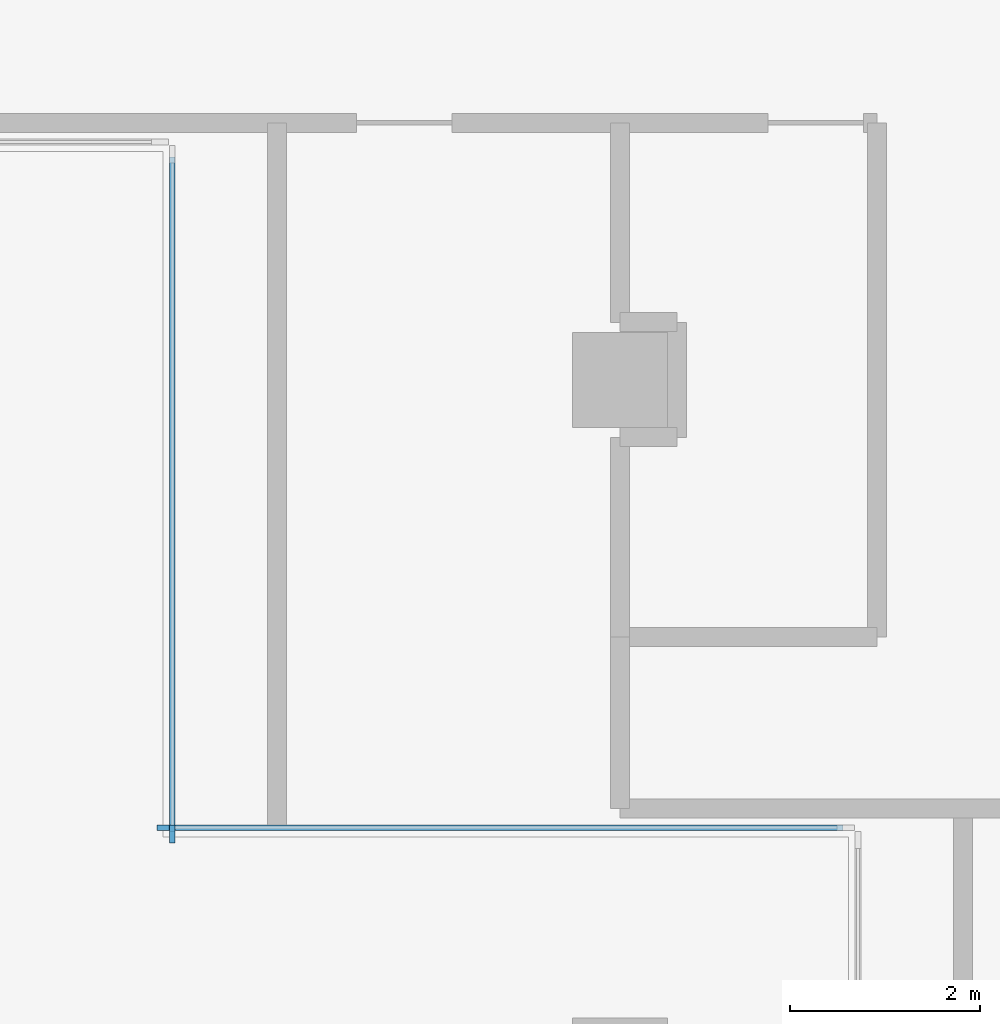
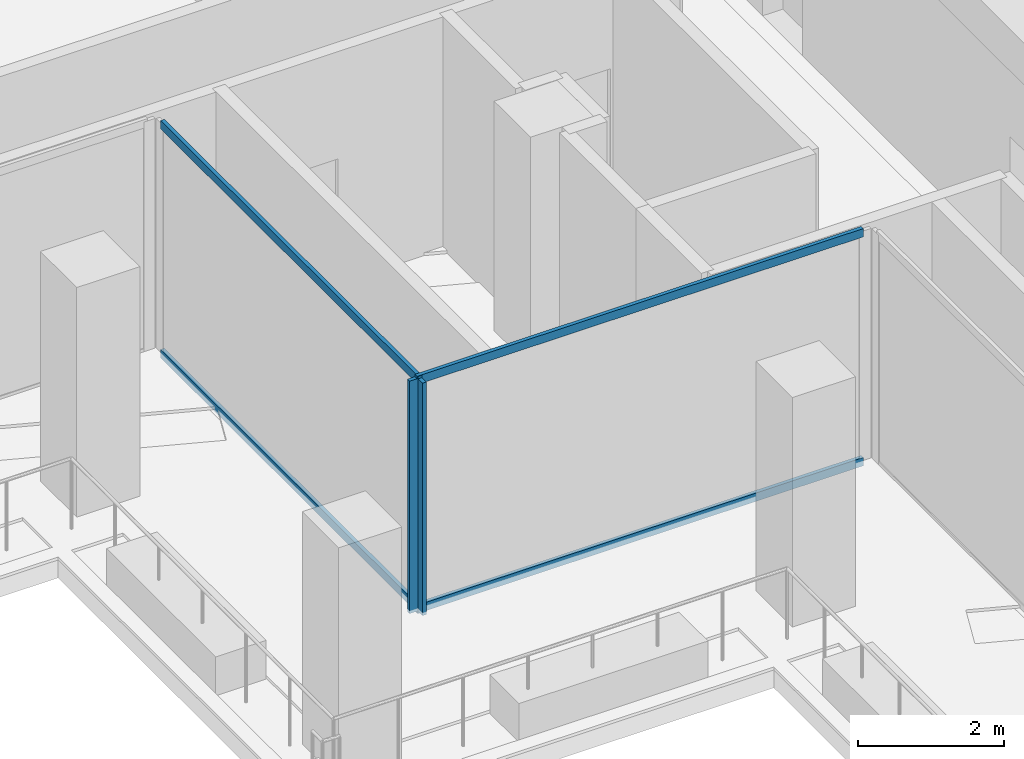
# One storey, part 2 of 21: 6 members, 2 elements without a shape of their own.
"""IFC4 building model written with IfcOpenShell, lengths in metres."""

from ifc_helpers import new_model, si_unit, direction, frame, origin, origin_2d, place, context, subcontext, project, spatial, rectangle, extrude, material, material_profile, profile_set, type_object, element, aggregate, save


model = new_model("IFC4")

# Units and contexts
model_context = context("Model", 3, precision=1e-05, world=origin(), true_north=direction((0.0, 1.0)))
body_context = subcontext(model_context, "Body", "Model", "MODEL_VIEW")
ifc_project = project(units=[si_unit("LENGTHUNIT", "METRE"), si_unit("AREAUNIT", "SQUARE_METRE"), si_unit("VOLUMEUNIT", "CUBIC_METRE"), si_unit("PLANEANGLEUNIT", "RADIAN"), si_unit("MASSUNIT", "GRAM", prefix="KILO")], contexts=[model_context])

# Site, building, storey
site_placement = place(None, origin())
site = spatial("IfcSite", under=ifc_project, at=site_placement, CompositionType="ELEMENT")
building_placement = place(site_placement, origin())
building = spatial("IfcBuilding", under=site, at=building_placement, Name="Windrow Commons", CompositionType="ELEMENT")
storey_placement = place(building_placement, frame((0.0, 0.0, 131.2)))
storey = spatial("IfcBuildingStorey", under=building, at=storey_placement, Name="L35", CompositionType="ELEMENT", Elevation=131.2)

# Curtain wall, member
ifc_material_1 = material(Name="Clear laminated glass in Aluminium 6063-T6 anodised frame", Category="aluminium")
curtain_wall_type = type_object("IfcCurtainWallType", Name="Curtain wall CW2M sky lounge mid", PredefinedType="USERDEFINED", material=ifc_material_1)
placement = place(storey_placement, origin())
curtain_wall_1 = element("IfcCurtainWall", 1, at=placement, inside=storey, type_object=curtain_wall_type, Name="Curtain wall CW2M L35 9", ObjectType="UNITISED", PredefinedType="USERDEFINED")
ifc_material_2 = material(Name="Aluminium 6063-T6", Category="aluminium")
ifc_material_profile_1 = material_profile(ifc_material_2, rectangle(XDim=0.06, YDim=0.18, at=origin_2d()))
ifc_profile_set_1 = profile_set([ifc_material_profile_1], Name="Aluminium 6063-T6")
member_type_1 = type_object("IfcMemberType", Name="CW2M mullion 60x180", PredefinedType="MULLION", material=ifc_profile_set_1)
member_1_placement = place(storey_placement, frame((45.7, 52.83, 0.0), z_axis=(0.0, 0.0, 1.0), x_axis=(1.0, 0.0, 0.0)))
member_1 = element("IfcMember", 2, at=member_1_placement, type_object=member_type_1, Name="CW2M mullion 2", PredefinedType="MULLION", context=body_context, shape_type="SweptSolid", body=[
    extrude(rectangle(XDim=0.06, YDim=0.18, at=origin_2d()), origin(), (0.0, 0.0, 1.0), 3.9),
])

curtain_wall_2 = element("IfcCurtainWall", 3, at=placement, inside=storey, type_object=curtain_wall_type, Name="Curtain wall CW2M L35 10", ObjectType="UNITISED", PredefinedType="USERDEFINED")
member_2_placement = place(storey_placement, frame((45.63, 52.9, 0.0), z_axis=(0.0, 0.0, 1.0), x_axis=(0.0, 1.0, 0.0)))
member_2 = element("IfcMember", 4, at=member_2_placement, type_object=member_type_1, Name="CW2M mullion 1", PredefinedType="MULLION", context=body_context, shape_type="SweptSolid", body=[
    extrude(rectangle(XDim=0.06, YDim=0.18, at=origin_2d()), origin(), (0.0, 0.0, 1.0), 3.9),
])

# Member
ifc_material_3 = material(Name="Aluminium 6063-T6", Category="aluminium")
ifc_material_profile_2 = material_profile(ifc_material_3, rectangle(XDim=0.06, YDim=0.14, at=origin_2d()))
ifc_profile_set_2 = profile_set([ifc_material_profile_2], Name="Aluminium 6063-T6")
member_type_2 = type_object("IfcMemberType", Name="CW2M transom 60x140", PredefinedType="USERDEFINED", material=ifc_profile_set_2)
member_3_placement = place(storey_placement, frame((45.7, 59.94, 0.03), z_axis=(0.0, -1.0, 0.0), x_axis=(1.0, 0.0, 0.0)))
member_3 = element("IfcMember", 5, at=member_3_placement, type_object=member_type_2, Name="CW2M transom 1.1", ObjectType="TRANSOM", PredefinedType="USERDEFINED", context=body_context, shape_type="SweptSolid", body=[
    extrude(rectangle(XDim=0.06, YDim=0.14, at=origin_2d()), origin(), (0.0, 0.0, 1.0), 7.08),
])

member_4_placement = place(storey_placement, frame((45.7, 59.94, 3.87), z_axis=(0.0, -1.0, 0.0), x_axis=(1.0, 0.0, 0.0)))
member_4 = element("IfcMember", 6, at=member_4_placement, type_object=member_type_2, Name="CW2M transom 1.2", ObjectType="TRANSOM", PredefinedType="USERDEFINED", context=body_context, shape_type="SweptSolid", body=[
    extrude(rectangle(XDim=0.06, YDim=0.14, at=origin_2d()), origin(), (0.0, 0.0, 1.0), 7.08),
])

aggregate(curtain_wall_1, [member_1, member_3, member_4])

member_5_placement = place(storey_placement, frame((45.66, 52.9, 0.03), z_axis=(1.0, 0.0, 0.0), x_axis=(0.0, 1.0, 0.0)))
member_5 = element("IfcMember", 7, at=member_5_placement, type_object=member_type_2, Name="CW2M transom 1.1", ObjectType="TRANSOM", PredefinedType="USERDEFINED", context=body_context, shape_type="SweptSolid", body=[
    extrude(rectangle(XDim=0.06, YDim=0.14, at=origin_2d()), origin(), (0.0, 0.0, 1.0), 7.08),
])

member_6_placement = place(storey_placement, frame((45.66, 52.9, 3.87), z_axis=(1.0, 0.0, 0.0), x_axis=(0.0, 1.0, 0.0)))
member_6 = element("IfcMember", 8, at=member_6_placement, type_object=member_type_2, Name="CW2M transom 1.2", ObjectType="TRANSOM", PredefinedType="USERDEFINED", context=body_context, shape_type="SweptSolid", body=[
    extrude(rectangle(XDim=0.06, YDim=0.14, at=origin_2d()), origin(), (0.0, 0.0, 1.0), 7.08),
])

aggregate(curtain_wall_2, [member_2, member_5, member_6])

save(model, "model.ifc")
